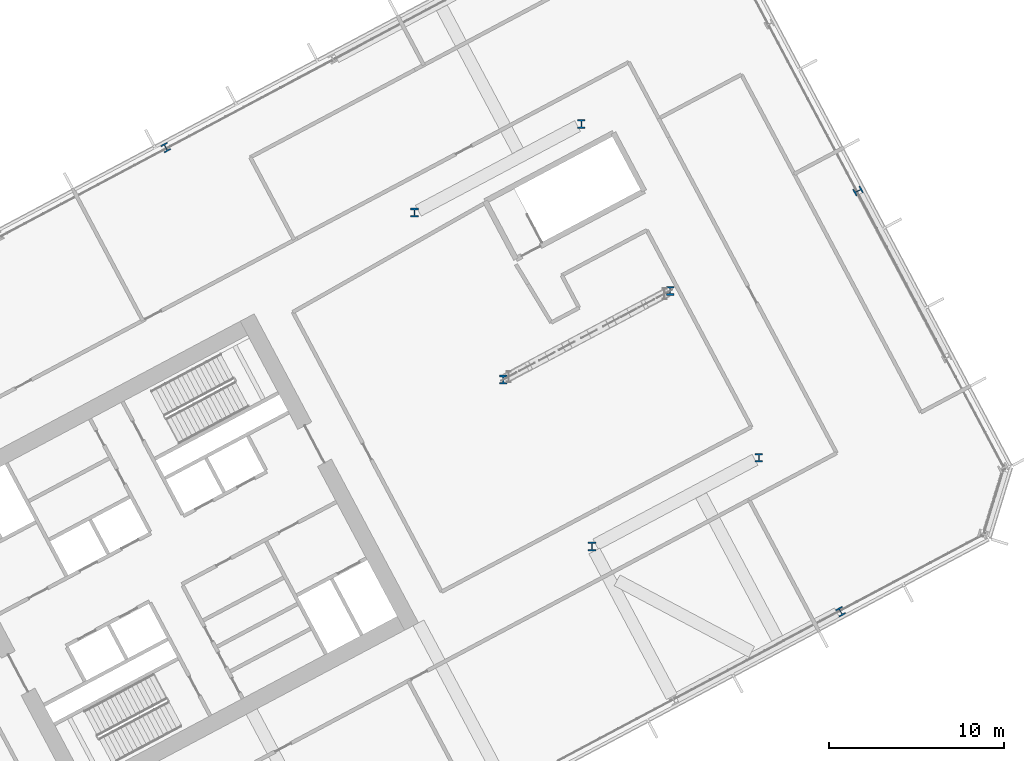
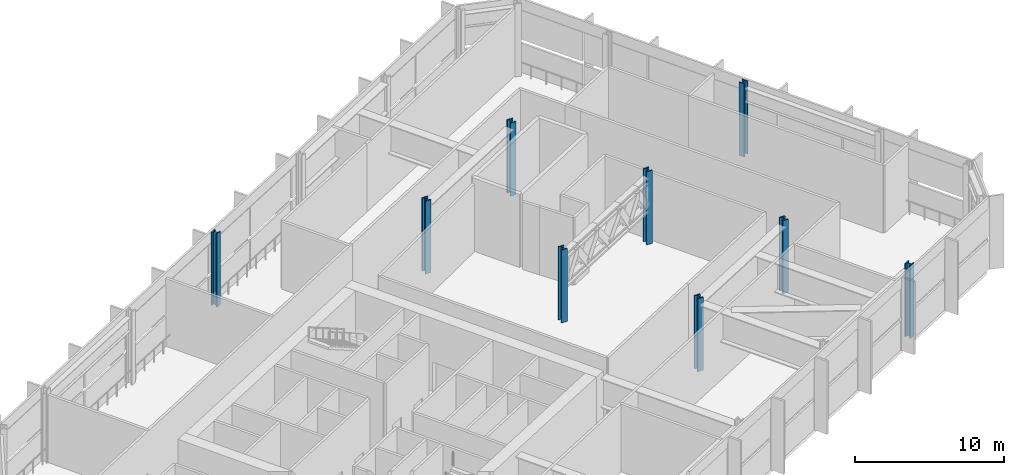
# One storey, part 4 of 33: 9 columns.
"""IFC4 building model written with IfcOpenShell, lengths in metres."""

from ifc_helpers import new_model, si_unit, direction, frame, origin, origin_2d, place, context, subcontext, project, spatial, i_section, extrude, material, material_profile, profile_set, type_object, element, save


model = new_model("IFC4")

# Units and contexts
model_context = context("Model", 3, precision=1e-05, world=origin(), true_north=direction((0.0, 1.0)))
body_context = subcontext(model_context, "Body", "Model", "MODEL_VIEW")
ifc_project = project(units=[si_unit("LENGTHUNIT", "METRE"), si_unit("AREAUNIT", "SQUARE_METRE"), si_unit("VOLUMEUNIT", "CUBIC_METRE"), si_unit("PLANEANGLEUNIT", "RADIAN"), si_unit("MASSUNIT", "GRAM", prefix="KILO")], contexts=[model_context])

# Site, building, storey
site_placement = place(None, origin())
site = spatial("IfcSite", under=ifc_project, at=site_placement, CompositionType="ELEMENT")
building_placement = place(site_placement, origin())
building = spatial("IfcBuilding", under=site, at=building_placement, Name="Cormorant Relay Tower", CompositionType="ELEMENT")
storey_placement = place(building_placement, frame((0.0, 0.0, 112.199951171875)))
storey = spatial("IfcBuildingStorey", under=building, at=storey_placement, Name="L22", CompositionType="ELEMENT", Elevation=112.199951171875)

# Columns
ifc_material_1 = material(Name="Steel ASTM A992 (Fy 345 MPa)", Category="steel")
ifc_material_profile_1 = material_profile(ifc_material_1, i_section(OverallWidth=0.42431640625, OverallDepth=0.47509765625, WebThickness=0.0478515625, FlangeThickness=0.0771484375, FilletRadius=0.014892578125, at=origin_2d()), Name="W360x634")
ifc_profile_set_1 = profile_set([ifc_material_profile_1], Name="Steel ASTM A992 (Fy 345 MPa)")
column_type_1 = type_object("IfcColumnType", Name="Column W360x634", PredefinedType="COLUMN", material=ifc_profile_set_1)
for number, where, z_axis, x_axis, name in (
    (1, (62.3701171875, 9.65087890625, 0.0), (0.0, 0.0, 1.0), (0.882947592859, 0.469471562786, 0.0), "Column L22-020"),
    (2, (63.360107421875, 33.68896484375, 0.0), (0.0, 0.0, 1.0), (-0.469471562786, 0.882947592859, 0.0), "Column L22-042"),
    (3, (23.805908203125, 36.169921875, 0.0), (0.0, 0.0, 1.0), (-0.882947592859, -0.469471562786, 0.0), "Column L22-044"),
):
    element("IfcColumn", number, at=place(storey_placement, frame(where, z_axis=z_axis, x_axis=x_axis)), inside=storey, type_object=column_type_1, Name=name, PredefinedType="COLUMN", context=body_context, shape_type="SweptSolid", body=[
        extrude(i_section(OverallWidth=0.42431640625, OverallDepth=0.47509765625, WebThickness=0.0478515625, FlangeThickness=0.0771484375, FilletRadius=0.014892578125, at=origin_2d()), origin(), (0.0, 0.0, 1.0), 6.0),
    ])
ifc_material_2 = material(Name="Steel ASTM A992 (Fy 345 MPa)", Category="steel")
ifc_material_profile_2 = material_profile(ifc_material_2, i_section(OverallWidth=0.43701171875, OverallDepth=0.51318359375, WebThickness=0.060546875, FlangeThickness=0.096923828125, FilletRadius=0.015380859375, at=origin_2d()), Name="W360x818")
ifc_profile_set_2 = profile_set([ifc_material_profile_2], Name="Steel ASTM A992 (Fy 345 MPa)")
column_type_2 = type_object("IfcColumnType", Name="Column W360x818", PredefinedType="COLUMN", material=ifc_profile_set_2)
for number, where, z_axis, x_axis, name in (
    (4, (48.157958984375, 13.3740234375, 0.0), (0.0, 0.0, 1.0), (1.0, 0.0, 0.0), "Column L22-025"),
    (5, (57.694091796875, 18.445068359375, 0.0), (0.0, 0.0, 1.0), (1.0, 0.0, 0.0), "Column L22-029"),
    (6, (43.087890625, 22.909912109375, 0.0), (0.0, 0.0, 1.0), (1.0, 0.0, 0.0), "Column L22-031"),
    (7, (52.6240234375, 27.98095703125, 0.0), (0.0, 0.0, 1.0), (1.0, 0.0, 0.0), "Column L22-037"),
    (8, (38.01806640625, 32.446044921875, 0.0), (0.0, 0.0, 1.0), (1.0, 0.0, 0.0), "Column L22-040"),
    (9, (47.552978515625, 37.51611328125, 0.0), (0.0, 0.0, 1.0), (1.0, 0.0, 0.0), "Column L22-045"),
):
    element("IfcColumn", number, at=place(storey_placement, frame(where, z_axis=z_axis, x_axis=x_axis)), inside=storey, type_object=column_type_2, Name=name, PredefinedType="COLUMN", context=body_context, shape_type="SweptSolid", body=[
        extrude(i_section(OverallWidth=0.43701171875, OverallDepth=0.51318359375, WebThickness=0.060546875, FlangeThickness=0.096923828125, FilletRadius=0.015380859375, at=origin_2d()), origin(), (0.0, 0.0, 1.0), 6.0),
    ])

save(model, "model.ifc")
